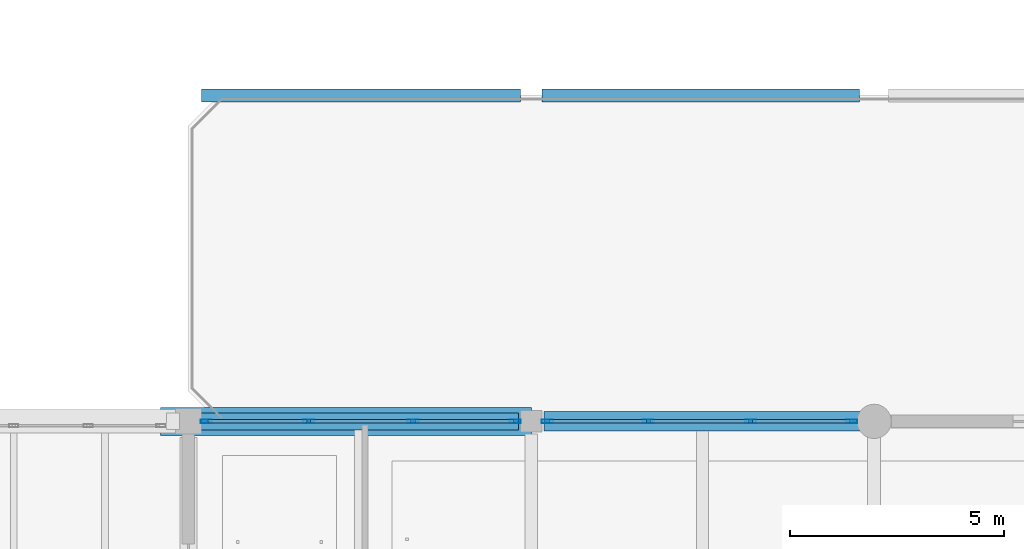
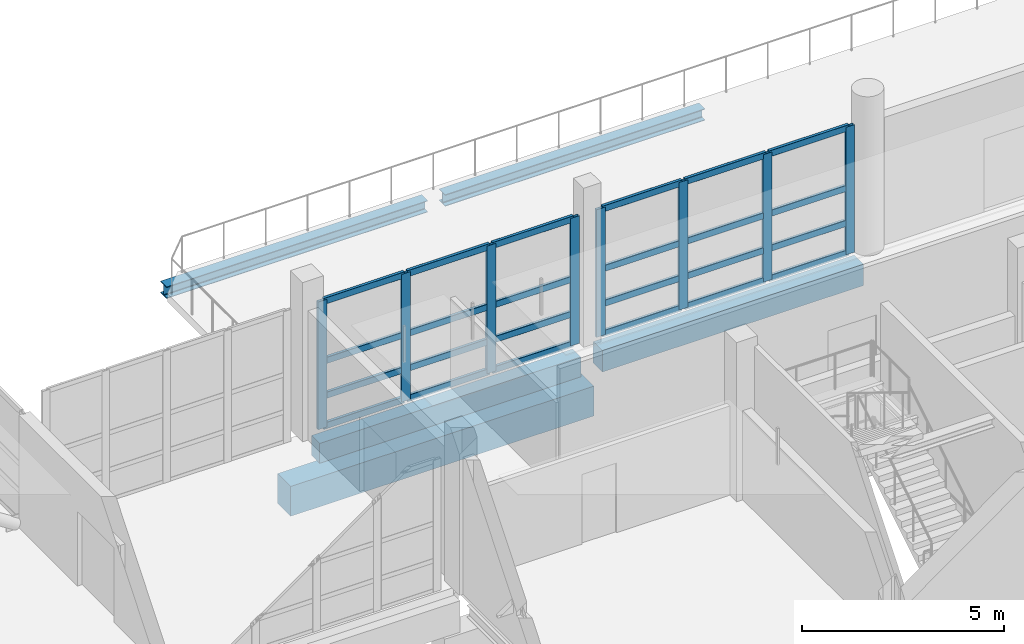
# One storey, part 27 of 147: 32 members, 5 beams, 2 elements without a shape of their own.
"""IFC4 building model written with IfcOpenShell, lengths in metres."""

from ifc_helpers import new_model, si_unit, direction, frame, origin, origin_2d, place, context, subcontext, project, spatial, rectangle, hollow_rectangle, i_section, extrude, material, material_profile, profile_set, type_object, element, aggregate, save


model = new_model("IFC4")

# Units and contexts
model_context = context("Model", 3, precision=1e-05, world=origin(), true_north=direction((0.0, 1.0)))
body_context = subcontext(model_context, "Body", "Model", "MODEL_VIEW")
ifc_project = project(units=[si_unit("LENGTHUNIT", "METRE"), si_unit("AREAUNIT", "SQUARE_METRE"), si_unit("VOLUMEUNIT", "CUBIC_METRE"), si_unit("PLANEANGLEUNIT", "RADIAN"), si_unit("MASSUNIT", "GRAM", prefix="KILO")], contexts=[model_context])

# Site, building, storey
site_placement = place(None, origin())
site = spatial("IfcSite", under=ifc_project, at=site_placement, CompositionType="ELEMENT")
building_placement = place(site_placement, origin())
building = spatial("IfcBuilding", under=site, at=building_placement, Name="Khelvaren Railside Concert Hall", CompositionType="ELEMENT")
storey_placement = place(building_placement, frame((0.0, 0.0, 5.39990234375)))
storey = spatial("IfcBuildingStorey", under=building, at=storey_placement, Name="L01", CompositionType="ELEMENT", Elevation=5.39990234375)

# Beam
ifc_material_1 = material(Name="Concrete C40/50", Category="concrete")
ifc_material_profile_1 = material_profile(ifc_material_1, rectangle(XDim=0.64990234375, YDim=0.89990234375, at=origin_2d()), Name="RCB 650x900")
ifc_profile_set_1 = profile_set([ifc_material_profile_1], Name="Concrete C40/50")
beam_type_1 = type_object("IfcBeamType", Name="BM18", PredefinedType="BEAM", material=ifc_profile_set_1)
beam_1_placement = place(storey_placement, frame((63.35009765625, 15.199951171875, -1.659912109375), z_axis=(1.0, 0.0, 0.0), x_axis=(0.0, 1.0, 0.0)))
element("IfcBeam", 1, at=beam_1_placement, inside=storey, type_object=beam_type_1, Name="West Promenade Link Bridge L01 Seismic Corbel Seat 2", PredefinedType="BEAM", context=body_context, shape_type="SweptSolid", body=[
    extrude(rectangle(XDim=0.64990234375, YDim=0.89990234375, at=origin_2d()), origin(), (0.0, 0.0, 1.0), 8.64990234375),
])

# Curtain wall, members
ifc_material_2 = material(Name="Acoustic laminated crystal facade glass", Category="glass")
curtain_wall_type_1 = type_object("IfcCurtainWallType", Name="CW15", PredefinedType="USERDEFINED", material=ifc_material_2)
curtain_wall_1_placement = place(storey_placement, origin())
curtain_wall_1 = element("IfcCurtainWall", 2, at=curtain_wall_1_placement, inside=storey, type_object=curtain_wall_type_1, Name="Unitised Curtain Wall CW-V3-L01-N-64", ObjectType="UNITISED CURTAIN WALL", PredefinedType="USERDEFINED")
ifc_material_3 = material(Name="Anodised architectural aluminium 6063-T6", Category="aluminium")
ifc_material_profile_2 = material_profile(ifc_material_3, hollow_rectangle(XDim=0.0849609375, YDim=0.260009765625, WallThickness=0.0048828125, InnerFilletRadius=0.0029296875, OuterFilletRadius=0.0048828125, at=origin_2d()), Name="CWM 85x260x5")
ifc_profile_set_2 = profile_set([ifc_material_profile_2], Name="Anodised architectural aluminium 6063-T6")
member_type_1 = type_object("IfcMemberType", Name="CWM40", PredefinedType="MULLION", material=ifc_profile_set_2)
member_1_placement = place(storey_placement, frame((64.419921875, 15.199951171875, 0.0), z_axis=(0.0, 0.0, 1.0), x_axis=(0.0, 1.0, 0.0)))
member_1 = element("IfcMember", 3, at=member_1_placement, type_object=member_type_1, Name="CW15 mullion 1", PredefinedType="MULLION", context=body_context, shape_type="SweptSolid", body=[
    extrude(hollow_rectangle(XDim=0.0849609375, YDim=0.260009765625, WallThickness=0.0048828125, InnerFilletRadius=0.0029296875, OuterFilletRadius=0.0048828125, at=origin_2d()), origin(), (0.0, 0.0, 1.0), 3.85009765625),
])
member_2_placement = place(storey_placement, frame((66.80908203125, 15.199951171875, 0.0), z_axis=(0.0, 0.0, 1.0), x_axis=(0.0, 1.0, 0.0)))
member_2 = element("IfcMember", 4, at=member_2_placement, type_object=member_type_1, Name="CW15 mullion 2", PredefinedType="MULLION", context=body_context, shape_type="SweptSolid", body=[
    extrude(hollow_rectangle(XDim=0.0849609375, YDim=0.260009765625, WallThickness=0.0048828125, InnerFilletRadius=0.0029296875, OuterFilletRadius=0.0048828125, at=origin_2d()), origin(), (0.0, 0.0, 1.0), 3.85009765625),
])
member_3_placement = place(storey_placement, frame((69.24072265625, 15.199951171875, 0.0), z_axis=(0.0, 0.0, 1.0), x_axis=(0.0, 1.0, 0.0)))
member_3 = element("IfcMember", 5, at=member_3_placement, type_object=member_type_1, Name="CW15 mullion 3", PredefinedType="MULLION", context=body_context, shape_type="SweptSolid", body=[
    extrude(hollow_rectangle(XDim=0.0849609375, YDim=0.260009765625, WallThickness=0.0048828125, InnerFilletRadius=0.0029296875, OuterFilletRadius=0.0048828125, at=origin_2d()), origin(), (0.0, 0.0, 1.0), 3.85009765625),
])
member_4_placement = place(storey_placement, frame((71.6298828125, 15.199951171875, 0.0), z_axis=(0.0, 0.0, 1.0), x_axis=(0.0, 1.0, 0.0)))
member_4 = element("IfcMember", 6, at=member_4_placement, type_object=member_type_1, Name="CW15 mullion 4", PredefinedType="MULLION", context=body_context, shape_type="SweptSolid", body=[
    extrude(hollow_rectangle(XDim=0.0849609375, YDim=0.260009765625, WallThickness=0.0048828125, InnerFilletRadius=0.0029296875, OuterFilletRadius=0.0048828125, at=origin_2d()), origin(), (0.0, 0.0, 1.0), 3.85009765625),
])

curtain_wall_type_2 = type_object("IfcCurtainWallType", Name="CW54", PredefinedType="USERDEFINED", material=ifc_material_2)
curtain_wall_2_placement = place(storey_placement, origin())
curtain_wall_2 = element("IfcCurtainWall", 7, at=curtain_wall_2_placement, inside=storey, type_object=curtain_wall_type_2, Name="Unitised Curtain Wall CW-V3-L01-N-72", ObjectType="UNITISED CURTAIN WALL", PredefinedType="USERDEFINED")
member_5_placement = place(storey_placement, frame((72.3701171875, 15.199951171875, 0.0), z_axis=(0.0, 0.0, 1.0), x_axis=(0.0, 1.0, 0.0)))
member_5 = element("IfcMember", 8, at=member_5_placement, type_object=member_type_1, Name="CW54 mullion 1", PredefinedType="MULLION", context=body_context, shape_type="SweptSolid", body=[
    extrude(hollow_rectangle(XDim=0.0849609375, YDim=0.260009765625, WallThickness=0.0048828125, InnerFilletRadius=0.0029296875, OuterFilletRadius=0.0048828125, at=origin_2d()), origin(), (0.0, 0.0, 1.0), 3.85009765625),
])
member_6_placement = place(storey_placement, frame((74.725830078125, 15.199951171875, 0.0), z_axis=(0.0, 0.0, 1.0), x_axis=(0.0, 1.0, 0.0)))
member_6 = element("IfcMember", 9, at=member_6_placement, type_object=member_type_1, Name="CW54 mullion 2", PredefinedType="MULLION", context=body_context, shape_type="SweptSolid", body=[
    extrude(hollow_rectangle(XDim=0.0849609375, YDim=0.260009765625, WallThickness=0.0048828125, InnerFilletRadius=0.0029296875, OuterFilletRadius=0.0048828125, at=origin_2d()), origin(), (0.0, 0.0, 1.0), 3.85009765625),
])
member_7_placement = place(storey_placement, frame((77.124267578125, 15.199951171875, 0.0), z_axis=(0.0, 0.0, 1.0), x_axis=(0.0, 1.0, 0.0)))
member_7 = element("IfcMember", 10, at=member_7_placement, type_object=member_type_1, Name="CW54 mullion 3", PredefinedType="MULLION", context=body_context, shape_type="SweptSolid", body=[
    extrude(hollow_rectangle(XDim=0.0849609375, YDim=0.260009765625, WallThickness=0.0048828125, InnerFilletRadius=0.0029296875, OuterFilletRadius=0.0048828125, at=origin_2d()), origin(), (0.0, 0.0, 1.0), 3.85009765625),
])
member_8_placement = place(storey_placement, frame((79.47998046875, 15.199951171875, 0.0), z_axis=(0.0, 0.0, 1.0), x_axis=(0.0, 1.0, 0.0)))
member_8 = element("IfcMember", 11, at=member_8_placement, type_object=member_type_1, Name="CW54 mullion 4", PredefinedType="MULLION", context=body_context, shape_type="SweptSolid", body=[
    extrude(hollow_rectangle(XDim=0.0849609375, YDim=0.260009765625, WallThickness=0.0048828125, InnerFilletRadius=0.0029296875, OuterFilletRadius=0.0048828125, at=origin_2d()), origin(), (0.0, 0.0, 1.0), 3.85009765625),
])

# Member
ifc_material_profile_3 = material_profile(ifc_material_3, hollow_rectangle(XDim=0.0849609375, YDim=0.18994140625, WallThickness=0.0048828125, InnerFilletRadius=0.0029296875, OuterFilletRadius=0.0048828125, at=origin_2d()), Name="CWT 85x190x5")
ifc_profile_set_3 = profile_set([ifc_material_profile_3], Name="Anodised architectural aluminium 6063-T6")
member_type_2 = type_object("IfcMemberType", Name="CWT31", PredefinedType="USERDEFINED", material=ifc_profile_set_3)
member_9_placement = place(storey_placement, frame((64.46240234375, 15.199951171875, 0.04248046875), z_axis=(1.0, 0.0, 0.0), x_axis=(0.0, 1.0, 0.0)))
member_9 = element("IfcMember", 12, at=member_9_placement, type_object=member_type_2, Name="CW15 transom 1.1", ObjectType="TRANSOM", PredefinedType="USERDEFINED", context=body_context, shape_type="SweptSolid", body=[
    extrude(hollow_rectangle(XDim=0.0849609375, YDim=0.18994140625, WallThickness=0.0048828125, InnerFilletRadius=0.0029296875, OuterFilletRadius=0.0048828125, at=origin_2d()), origin(), (0.0, 0.0, 1.0), 2.30419921875),
])

member_10_placement = place(storey_placement, frame((64.46240234375, 15.199951171875, 0.9501953125), z_axis=(1.0, 0.0, 0.0), x_axis=(0.0, 1.0, 0.0)))
member_10 = element("IfcMember", 13, at=member_10_placement, type_object=member_type_2, Name="CW15 transom 1.2", ObjectType="TRANSOM", PredefinedType="USERDEFINED", context=body_context, shape_type="SweptSolid", body=[
    extrude(hollow_rectangle(XDim=0.0849609375, YDim=0.18994140625, WallThickness=0.0048828125, InnerFilletRadius=0.0029296875, OuterFilletRadius=0.0048828125, at=origin_2d()), origin(), (0.0, 0.0, 1.0), 2.30419921875),
])

member_11_placement = place(storey_placement, frame((64.46240234375, 15.199951171875, 2.002197265625), z_axis=(1.0, 0.0, 0.0), x_axis=(0.0, 1.0, 0.0)))
member_11 = element("IfcMember", 14, at=member_11_placement, type_object=member_type_2, Name="CW15 transom 1.3", ObjectType="TRANSOM", PredefinedType="USERDEFINED", context=body_context, shape_type="SweptSolid", body=[
    extrude(hollow_rectangle(XDim=0.0849609375, YDim=0.18994140625, WallThickness=0.0048828125, InnerFilletRadius=0.0029296875, OuterFilletRadius=0.0048828125, at=origin_2d()), origin(), (0.0, 0.0, 1.0), 2.30419921875),
])

member_12_placement = place(storey_placement, frame((64.46240234375, 15.199951171875, 3.8076171875), z_axis=(1.0, 0.0, 0.0), x_axis=(0.0, 1.0, 0.0)))
member_12 = element("IfcMember", 15, at=member_12_placement, type_object=member_type_2, Name="CW15 transom 1.4", ObjectType="TRANSOM", PredefinedType="USERDEFINED", context=body_context, shape_type="SweptSolid", body=[
    extrude(hollow_rectangle(XDim=0.0849609375, YDim=0.18994140625, WallThickness=0.0048828125, InnerFilletRadius=0.0029296875, OuterFilletRadius=0.0048828125, at=origin_2d()), origin(), (0.0, 0.0, 1.0), 2.30419921875),
])

member_13_placement = place(storey_placement, frame((66.8515625, 15.199951171875, 0.04248046875), z_axis=(1.0, 0.0, 0.0), x_axis=(0.0, 1.0, 0.0)))
member_13 = element("IfcMember", 16, at=member_13_placement, type_object=member_type_2, Name="CW15 transom 2.1", ObjectType="TRANSOM", PredefinedType="USERDEFINED", context=body_context, shape_type="SweptSolid", body=[
    extrude(hollow_rectangle(XDim=0.0849609375, YDim=0.18994140625, WallThickness=0.0048828125, InnerFilletRadius=0.0029296875, OuterFilletRadius=0.0048828125, at=origin_2d()), origin(), (0.0, 0.0, 1.0), 2.3466796875),
])

member_14_placement = place(storey_placement, frame((66.8515625, 15.199951171875, 0.9501953125), z_axis=(1.0, 0.0, 0.0), x_axis=(0.0, 1.0, 0.0)))
member_14 = element("IfcMember", 17, at=member_14_placement, type_object=member_type_2, Name="CW15 transom 2.2", ObjectType="TRANSOM", PredefinedType="USERDEFINED", context=body_context, shape_type="SweptSolid", body=[
    extrude(hollow_rectangle(XDim=0.0849609375, YDim=0.18994140625, WallThickness=0.0048828125, InnerFilletRadius=0.0029296875, OuterFilletRadius=0.0048828125, at=origin_2d()), origin(), (0.0, 0.0, 1.0), 2.3466796875),
])

member_15_placement = place(storey_placement, frame((66.8515625, 15.199951171875, 2.002197265625), z_axis=(1.0, 0.0, 0.0), x_axis=(0.0, 1.0, 0.0)))
member_15 = element("IfcMember", 18, at=member_15_placement, type_object=member_type_2, Name="CW15 transom 2.3", ObjectType="TRANSOM", PredefinedType="USERDEFINED", context=body_context, shape_type="SweptSolid", body=[
    extrude(hollow_rectangle(XDim=0.0849609375, YDim=0.18994140625, WallThickness=0.0048828125, InnerFilletRadius=0.0029296875, OuterFilletRadius=0.0048828125, at=origin_2d()), origin(), (0.0, 0.0, 1.0), 2.3466796875),
])

member_16_placement = place(storey_placement, frame((66.8515625, 15.199951171875, 3.8076171875), z_axis=(1.0, 0.0, 0.0), x_axis=(0.0, 1.0, 0.0)))
member_16 = element("IfcMember", 19, at=member_16_placement, type_object=member_type_2, Name="CW15 transom 2.4", ObjectType="TRANSOM", PredefinedType="USERDEFINED", context=body_context, shape_type="SweptSolid", body=[
    extrude(hollow_rectangle(XDim=0.0849609375, YDim=0.18994140625, WallThickness=0.0048828125, InnerFilletRadius=0.0029296875, OuterFilletRadius=0.0048828125, at=origin_2d()), origin(), (0.0, 0.0, 1.0), 2.3466796875),
])

member_17_placement = place(storey_placement, frame((69.283447265625, 15.199951171875, 0.04248046875), z_axis=(1.0, 0.0, 0.0), x_axis=(0.0, 1.0, 0.0)))
member_17 = element("IfcMember", 20, at=member_17_placement, type_object=member_type_2, Name="CW15 transom 3.1", ObjectType="TRANSOM", PredefinedType="USERDEFINED", context=body_context, shape_type="SweptSolid", body=[
    extrude(hollow_rectangle(XDim=0.0849609375, YDim=0.18994140625, WallThickness=0.0048828125, InnerFilletRadius=0.0029296875, OuterFilletRadius=0.0048828125, at=origin_2d()), origin(), (0.0, 0.0, 1.0), 2.303955078125),
])

member_18_placement = place(storey_placement, frame((69.283447265625, 15.199951171875, 0.9501953125), z_axis=(1.0, 0.0, 0.0), x_axis=(0.0, 1.0, 0.0)))
member_18 = element("IfcMember", 21, at=member_18_placement, type_object=member_type_2, Name="CW15 transom 3.2", ObjectType="TRANSOM", PredefinedType="USERDEFINED", context=body_context, shape_type="SweptSolid", body=[
    extrude(hollow_rectangle(XDim=0.0849609375, YDim=0.18994140625, WallThickness=0.0048828125, InnerFilletRadius=0.0029296875, OuterFilletRadius=0.0048828125, at=origin_2d()), origin(), (0.0, 0.0, 1.0), 2.303955078125),
])

member_19_placement = place(storey_placement, frame((69.283447265625, 15.199951171875, 2.002197265625), z_axis=(1.0, 0.0, 0.0), x_axis=(0.0, 1.0, 0.0)))
member_19 = element("IfcMember", 22, at=member_19_placement, type_object=member_type_2, Name="CW15 transom 3.3", ObjectType="TRANSOM", PredefinedType="USERDEFINED", context=body_context, shape_type="SweptSolid", body=[
    extrude(hollow_rectangle(XDim=0.0849609375, YDim=0.18994140625, WallThickness=0.0048828125, InnerFilletRadius=0.0029296875, OuterFilletRadius=0.0048828125, at=origin_2d()), origin(), (0.0, 0.0, 1.0), 2.303955078125),
])

member_20_placement = place(storey_placement, frame((69.283447265625, 15.199951171875, 3.8076171875), z_axis=(1.0, 0.0, 0.0), x_axis=(0.0, 1.0, 0.0)))
member_20 = element("IfcMember", 23, at=member_20_placement, type_object=member_type_2, Name="CW15 transom 3.4", ObjectType="TRANSOM", PredefinedType="USERDEFINED", context=body_context, shape_type="SweptSolid", body=[
    extrude(hollow_rectangle(XDim=0.0849609375, YDim=0.18994140625, WallThickness=0.0048828125, InnerFilletRadius=0.0029296875, OuterFilletRadius=0.0048828125, at=origin_2d()), origin(), (0.0, 0.0, 1.0), 2.303955078125),
])

aggregate(curtain_wall_1, [member_1, member_2, member_3, member_4, member_9, member_10, member_11, member_12, member_13, member_14, member_15, member_16, member_17, member_18, member_19, member_20])

member_21_placement = place(storey_placement, frame((72.41259765625, 15.199951171875, 0.04248046875), z_axis=(1.0, 0.0, 0.0), x_axis=(0.0, 1.0, 0.0)))
member_21 = element("IfcMember", 24, at=member_21_placement, type_object=member_type_2, Name="CW54 transom 1.1", ObjectType="TRANSOM", PredefinedType="USERDEFINED", context=body_context, shape_type="SweptSolid", body=[
    extrude(hollow_rectangle(XDim=0.0849609375, YDim=0.18994140625, WallThickness=0.0048828125, InnerFilletRadius=0.0029296875, OuterFilletRadius=0.0048828125, at=origin_2d()), origin(), (0.0, 0.0, 1.0), 2.270751953125),
])

member_22_placement = place(storey_placement, frame((72.41259765625, 15.199951171875, 0.9501953125), z_axis=(1.0, 0.0, 0.0), x_axis=(0.0, 1.0, 0.0)))
member_22 = element("IfcMember", 25, at=member_22_placement, type_object=member_type_2, Name="CW54 transom 1.2", ObjectType="TRANSOM", PredefinedType="USERDEFINED", context=body_context, shape_type="SweptSolid", body=[
    extrude(hollow_rectangle(XDim=0.0849609375, YDim=0.18994140625, WallThickness=0.0048828125, InnerFilletRadius=0.0029296875, OuterFilletRadius=0.0048828125, at=origin_2d()), origin(), (0.0, 0.0, 1.0), 2.270751953125),
])

member_23_placement = place(storey_placement, frame((72.41259765625, 15.199951171875, 2.002197265625), z_axis=(1.0, 0.0, 0.0), x_axis=(0.0, 1.0, 0.0)))
member_23 = element("IfcMember", 26, at=member_23_placement, type_object=member_type_2, Name="CW54 transom 1.3", ObjectType="TRANSOM", PredefinedType="USERDEFINED", context=body_context, shape_type="SweptSolid", body=[
    extrude(hollow_rectangle(XDim=0.0849609375, YDim=0.18994140625, WallThickness=0.0048828125, InnerFilletRadius=0.0029296875, OuterFilletRadius=0.0048828125, at=origin_2d()), origin(), (0.0, 0.0, 1.0), 2.270751953125),
])

member_24_placement = place(storey_placement, frame((72.41259765625, 15.199951171875, 3.8076171875), z_axis=(1.0, 0.0, 0.0), x_axis=(0.0, 1.0, 0.0)))
member_24 = element("IfcMember", 27, at=member_24_placement, type_object=member_type_2, Name="CW54 transom 1.4", ObjectType="TRANSOM", PredefinedType="USERDEFINED", context=body_context, shape_type="SweptSolid", body=[
    extrude(hollow_rectangle(XDim=0.0849609375, YDim=0.18994140625, WallThickness=0.0048828125, InnerFilletRadius=0.0029296875, OuterFilletRadius=0.0048828125, at=origin_2d()), origin(), (0.0, 0.0, 1.0), 2.270751953125),
])

member_25_placement = place(storey_placement, frame((74.768310546875, 15.199951171875, 0.04248046875), z_axis=(1.0, 0.0, 0.0), x_axis=(0.0, 1.0, 0.0)))
member_25 = element("IfcMember", 28, at=member_25_placement, type_object=member_type_2, Name="CW54 transom 2.1", ObjectType="TRANSOM", PredefinedType="USERDEFINED", context=body_context, shape_type="SweptSolid", body=[
    extrude(hollow_rectangle(XDim=0.0849609375, YDim=0.18994140625, WallThickness=0.0048828125, InnerFilletRadius=0.0029296875, OuterFilletRadius=0.0048828125, at=origin_2d()), origin(), (0.0, 0.0, 1.0), 2.3134765625),
])

member_26_placement = place(storey_placement, frame((74.768310546875, 15.199951171875, 0.9501953125), z_axis=(1.0, 0.0, 0.0), x_axis=(0.0, 1.0, 0.0)))
member_26 = element("IfcMember", 29, at=member_26_placement, type_object=member_type_2, Name="CW54 transom 2.2", ObjectType="TRANSOM", PredefinedType="USERDEFINED", context=body_context, shape_type="SweptSolid", body=[
    extrude(hollow_rectangle(XDim=0.0849609375, YDim=0.18994140625, WallThickness=0.0048828125, InnerFilletRadius=0.0029296875, OuterFilletRadius=0.0048828125, at=origin_2d()), origin(), (0.0, 0.0, 1.0), 2.3134765625),
])

member_27_placement = place(storey_placement, frame((74.768310546875, 15.199951171875, 2.002197265625), z_axis=(1.0, 0.0, 0.0), x_axis=(0.0, 1.0, 0.0)))
member_27 = element("IfcMember", 30, at=member_27_placement, type_object=member_type_2, Name="CW54 transom 2.3", ObjectType="TRANSOM", PredefinedType="USERDEFINED", context=body_context, shape_type="SweptSolid", body=[
    extrude(hollow_rectangle(XDim=0.0849609375, YDim=0.18994140625, WallThickness=0.0048828125, InnerFilletRadius=0.0029296875, OuterFilletRadius=0.0048828125, at=origin_2d()), origin(), (0.0, 0.0, 1.0), 2.3134765625),
])

member_28_placement = place(storey_placement, frame((74.768310546875, 15.199951171875, 3.8076171875), z_axis=(1.0, 0.0, 0.0), x_axis=(0.0, 1.0, 0.0)))
member_28 = element("IfcMember", 31, at=member_28_placement, type_object=member_type_2, Name="CW54 transom 2.4", ObjectType="TRANSOM", PredefinedType="USERDEFINED", context=body_context, shape_type="SweptSolid", body=[
    extrude(hollow_rectangle(XDim=0.0849609375, YDim=0.18994140625, WallThickness=0.0048828125, InnerFilletRadius=0.0029296875, OuterFilletRadius=0.0048828125, at=origin_2d()), origin(), (0.0, 0.0, 1.0), 2.3134765625),
])

member_29_placement = place(storey_placement, frame((77.166748046875, 15.199951171875, 0.04248046875), z_axis=(1.0, 0.0, 0.0), x_axis=(0.0, 1.0, 0.0)))
member_29 = element("IfcMember", 32, at=member_29_placement, type_object=member_type_2, Name="CW54 transom 3.1", ObjectType="TRANSOM", PredefinedType="USERDEFINED", context=body_context, shape_type="SweptSolid", body=[
    extrude(hollow_rectangle(XDim=0.0849609375, YDim=0.18994140625, WallThickness=0.0048828125, InnerFilletRadius=0.0029296875, OuterFilletRadius=0.0048828125, at=origin_2d()), origin(), (0.0, 0.0, 1.0), 2.270751953125),
])

member_30_placement = place(storey_placement, frame((77.166748046875, 15.199951171875, 0.9501953125), z_axis=(1.0, 0.0, 0.0), x_axis=(0.0, 1.0, 0.0)))
member_30 = element("IfcMember", 33, at=member_30_placement, type_object=member_type_2, Name="CW54 transom 3.2", ObjectType="TRANSOM", PredefinedType="USERDEFINED", context=body_context, shape_type="SweptSolid", body=[
    extrude(hollow_rectangle(XDim=0.0849609375, YDim=0.18994140625, WallThickness=0.0048828125, InnerFilletRadius=0.0029296875, OuterFilletRadius=0.0048828125, at=origin_2d()), origin(), (0.0, 0.0, 1.0), 2.270751953125),
])

member_31_placement = place(storey_placement, frame((77.166748046875, 15.199951171875, 2.002197265625), z_axis=(1.0, 0.0, 0.0), x_axis=(0.0, 1.0, 0.0)))
member_31 = element("IfcMember", 34, at=member_31_placement, type_object=member_type_2, Name="CW54 transom 3.3", ObjectType="TRANSOM", PredefinedType="USERDEFINED", context=body_context, shape_type="SweptSolid", body=[
    extrude(hollow_rectangle(XDim=0.0849609375, YDim=0.18994140625, WallThickness=0.0048828125, InnerFilletRadius=0.0029296875, OuterFilletRadius=0.0048828125, at=origin_2d()), origin(), (0.0, 0.0, 1.0), 2.270751953125),
])

member_32_placement = place(storey_placement, frame((77.166748046875, 15.199951171875, 3.8076171875), z_axis=(1.0, 0.0, 0.0), x_axis=(0.0, 1.0, 0.0)))
member_32 = element("IfcMember", 35, at=member_32_placement, type_object=member_type_2, Name="CW54 transom 3.4", ObjectType="TRANSOM", PredefinedType="USERDEFINED", context=body_context, shape_type="SweptSolid", body=[
    extrude(hollow_rectangle(XDim=0.0849609375, YDim=0.18994140625, WallThickness=0.0048828125, InnerFilletRadius=0.0029296875, OuterFilletRadius=0.0048828125, at=origin_2d()), origin(), (0.0, 0.0, 1.0), 2.270751953125),
])

aggregate(curtain_wall_2, [member_5, member_6, member_7, member_8, member_21, member_22, member_23, member_24, member_25, member_26, member_27, member_28, member_29, member_30, member_31, member_32])

# Beams
ifc_material_profile_4 = material_profile(ifc_material_1, rectangle(XDim=0.449951171875, YDim=0.64990234375, at=origin_2d()), Name="RCB 450x650")
ifc_profile_set_4 = profile_set([ifc_material_profile_4], Name="Concrete C40/50")
beam_type_2 = type_object("IfcBeamType", Name="SP34", PredefinedType="SPANDREL", material=ifc_profile_set_4)
beam_2_placement = place(storey_placement, frame((72.300048828125, 15.199951171875, -0.625), z_axis=(1.0, 0.0, 0.0), x_axis=(0.0, 1.0, 0.0)))
element("IfcBeam", 36, at=beam_2_placement, inside=storey, type_object=beam_type_2, Name="V3 L01 Spandrel X3.2", PredefinedType="SPANDREL", context=body_context, shape_type="SweptSolid", body=[
    extrude(rectangle(XDim=0.449951171875, YDim=0.64990234375, at=origin_2d()), origin(), (0.0, 0.0, 1.0), 7.449951171875),
])
ifc_material_4 = material(Name="Steel S355", Category="steel")
ifc_material_profile_5 = material_profile(ifc_material_4, i_section(OverallWidth=0.300048828125, OverallDepth=0.35009765625, WebThickness=0.010009765625, FlangeThickness=0.017578125, FilletRadius=0.027099609375, at=origin_2d()), Name="HEA 360")
ifc_profile_set_5 = profile_set([ifc_material_profile_5], Name="Steel S355")
beam_type_3 = type_object("IfcBeamType", Name="SP38", PredefinedType="SPANDREL", material=ifc_profile_set_5)
beam_3_placement = place(storey_placement, frame((64.300048828125, 22.800048828125, -0.414794921875), z_axis=(1.0, 0.0, 0.0), x_axis=(0.0, 1.0, 0.0)))
element("IfcBeam", 37, at=beam_3_placement, inside=storey, type_object=beam_type_3, Name="V3 L01 Terrace Edge Spandrel 1", PredefinedType="SPANDREL", context=body_context, shape_type="SweptSolid", body=[
    extrude(i_section(OverallWidth=0.300048828125, OverallDepth=0.35009765625, WebThickness=0.010009765625, FlangeThickness=0.017578125, FilletRadius=0.027099609375, at=origin_2d()), origin(), (0.0, 0.0, 1.0), 7.449951171875),
])
beam_4_placement = place(storey_placement, frame((72.25, 22.800048828125, -0.414794921875), z_axis=(1.0, 0.0, 0.0), x_axis=(0.0, 1.0, 0.0)))
element("IfcBeam", 38, at=beam_4_placement, inside=storey, type_object=beam_type_3, Name="V3 L01 Terrace Edge Spandrel 2", PredefinedType="SPANDREL", context=body_context, shape_type="SweptSolid", body=[
    extrude(i_section(OverallWidth=0.300048828125, OverallDepth=0.35009765625, WebThickness=0.010009765625, FlangeThickness=0.017578125, FilletRadius=0.027099609375, at=origin_2d()), origin(), (0.0, 0.0, 1.0), 7.4140625),
])
ifc_material_profile_6 = material_profile(ifc_material_1, rectangle(XDim=0.39990234375, YDim=0.60009765625, at=origin_2d()), Name="RCB 400x600")
ifc_profile_set_6 = profile_set([ifc_material_profile_6], Name="Concrete C40/50")
beam_type_4 = type_object("IfcBeamType", Name="SP75", PredefinedType="SPANDREL", material=ifc_profile_set_6)
beam_5_placement = place(storey_placement, frame((64.25, 15.199951171875, -0.599853515625), z_axis=(1.0, 0.0, 0.0), x_axis=(0.0, 1.0, 0.0)))
element("IfcBeam", 39, at=beam_5_placement, inside=storey, type_object=beam_type_4, Name="V3 L01 Spandrel X3.1", PredefinedType="SPANDREL", context=body_context, shape_type="SweptSolid", body=[
    extrude(rectangle(XDim=0.39990234375, YDim=0.60009765625, at=origin_2d()), origin(), (0.0, 0.0, 1.0), 7.449951171875),
])

save(model, "model.ifc")
